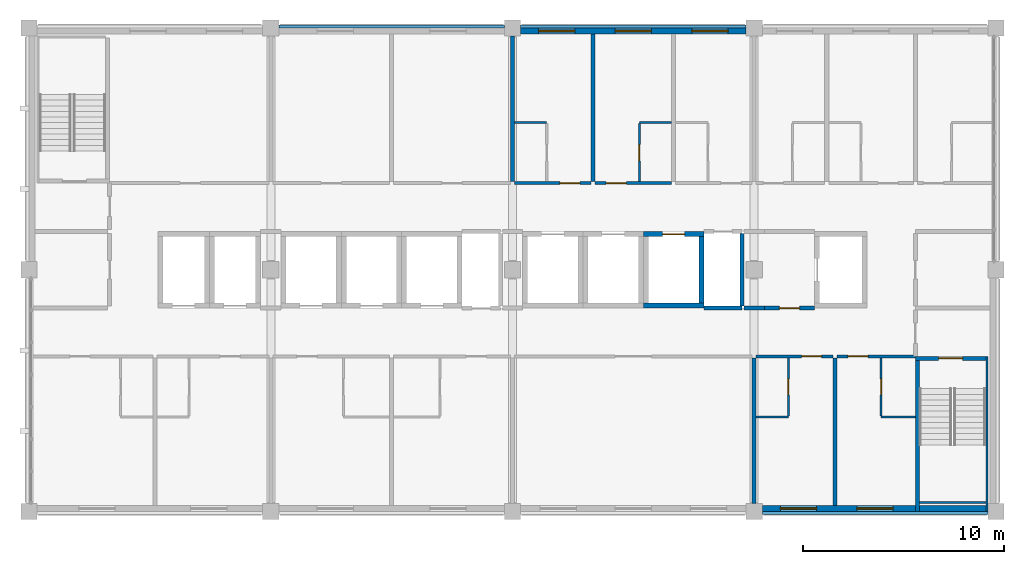
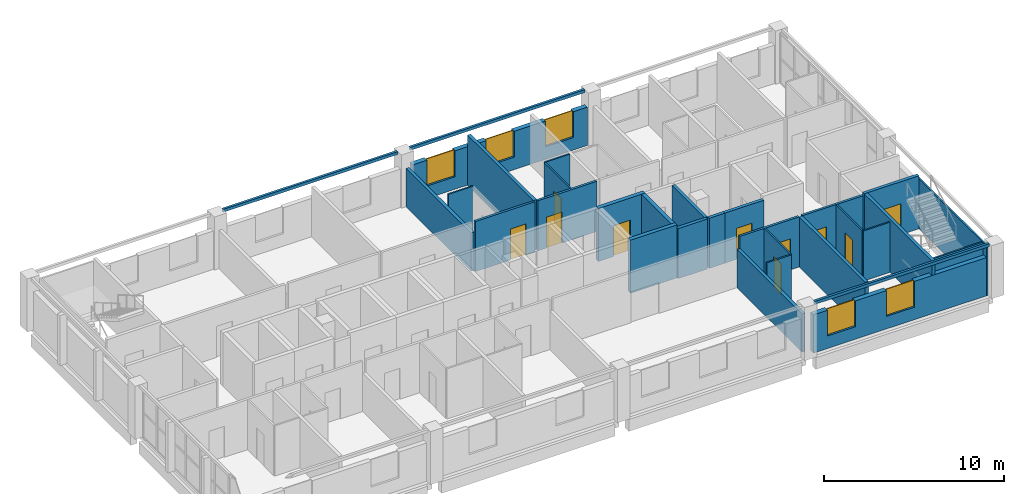
# One storey, part 8 of 11: 31 walls, 10 doors, 5 windows, 15 openings.
"""IFC4 building model written with IfcOpenShell, lengths in metres."""

from ifc_helpers import new_model, si_unit, direction, frame, frame_2d, origin, place, context, subcontext, project, spatial, rectangle, extrude, material, layer, layer_set, type_object, element, fill, save


model = new_model("IFC4")

# Units and contexts
model_context = context("Model", 3, precision=1e-05, world=origin(), true_north=direction((0.0, 1.0)))
body_context = subcontext(model_context, "Body", "Model", "MODEL_VIEW")
ifc_project = project(units=[si_unit("LENGTHUNIT", "METRE"), si_unit("AREAUNIT", "SQUARE_METRE"), si_unit("VOLUMEUNIT", "CUBIC_METRE"), si_unit("PLANEANGLEUNIT", "RADIAN"), si_unit("MASSUNIT", "GRAM", prefix="KILO")], contexts=[model_context])

# Site, building, storey
site_placement = place(None, origin())
site = spatial("IfcSite", under=ifc_project, at=site_placement, CompositionType="ELEMENT")
building_placement = place(site_placement, origin())
building = spatial("IfcBuilding", under=site, at=building_placement, Name="Lilac Gate Convention Centre", CompositionType="ELEMENT")
storey_placement = place(building_placement, frame((0.0, 0.0, 35.39990234375)))
storey = spatial("IfcBuildingStorey", under=building, at=storey_placement, Name="L08", CompositionType="ELEMENT", Elevation=35.39990234375)

# Walls
ifc_material_1 = material(Name="Concrete C50", Category="concrete")
ifc_layer_1 = layer(ifc_material_1, 0.10009765625)
ifc_layer_set_1 = layer_set([ifc_layer_1], Name="Concrete C50")
wall_type_1 = type_object("IfcWallType", Name="Core wall 100 C50", PredefinedType="SHEAR", material=ifc_layer_set_1)
wall_1_placement = place(storey_placement, frame((89.550048828125, 229.699951171875, 0.0), z_axis=(0.0, 0.0, 1.0), x_axis=(0.0, -1.0, 0.0)))
element("IfcWall", 1, at=wall_1_placement, inside=storey, type_object=wall_type_1, Name="CRW9 core wall TS-EX L08 1", PredefinedType="SHEAR", context=body_context, shape_type="SweptSolid", body=[
    extrude(rectangle(XDim=7.699951171875, YDim=0.10009765625, at=frame_2d((3.85009765625, 0.0))), origin(), (0.0, 0.0, 1.0), 3.400146484375),
])
wall_2_placement = place(storey_placement, frame((89.5, 222.449951171875, 0.0), z_axis=(0.0, 0.0, 1.0), x_axis=(-1.0, 0.0, 0.0)))
element("IfcWall", 2, at=wall_2_placement, inside=storey, type_object=wall_type_1, Name="CRW9 core wall TS-EX L08 2", PredefinedType="SHEAR", context=body_context, shape_type="SweptSolid", body=[
    extrude(rectangle(XDim=3.300048828125, YDim=0.10009765625, at=frame_2d((1.64990234375, 0.0))), origin(), (0.0, 0.0, 1.0), 3.400146484375),
])

# Wall, opening, door
ifc_layer_2 = layer(ifc_material_1, 0.199951171875)
ifc_layer_set_2 = layer_set([ifc_layer_2], Name="Concrete C50")
wall_type_2 = type_object("IfcWallType", Name="Core wall 200 C50", PredefinedType="SHEAR", material=ifc_layer_set_2)
wall_3_placement = place(storey_placement, frame((89.5, 229.60009765625, 0.0), z_axis=(0.0, 0.0, 1.0), x_axis=(-1.0, 0.0, 0.0)))
wall_3 = element("IfcWall", 3, at=wall_3_placement, inside=storey, type_object=wall_type_2, Name="CRW6 core wall TS-E L08 1", PredefinedType="SHEAR", context=body_context, shape_type="SweptSolid", body=[
    extrude(rectangle(XDim=3.5, YDim=0.199951171875, at=frame_2d((1.75, 0.0))), origin(), (0.0, 0.0, 1.0), 3.60009765625),
])
opening_1_placement = place(wall_3_placement, frame((1.14990234375, 0.0, 0.0)))
opening_1 = element("IfcOpeningElement", 4, at=opening_1_placement, cuts=wall_3, Name="Opening T07-046", PredefinedType="OPENING", context=body_context, shape_type="SweptSolid", body=[
    extrude(rectangle(XDim=1.199951171875, YDim=2.10009765625, at=frame_2d((0.60009765625, 1.050048828125))), frame((0.0, 0.10986328125, 0.0), z_axis=(0.0, -1.0, 0.0), x_axis=(1.0, 0.0, 0.0)), (0.0, 0.0, 1.0), 0.219970703125),
])
ifc_material_2 = material(Name="Steel Q235B", Category="steel")
door_type_1 = type_object("IfcDoorType", Name="Stair door 1200", OperationType="SINGLE_SWING_LEFT", PredefinedType="DOOR", material=ifc_material_2)
door_1_placement = place(opening_1_placement, origin())
door_1 = element("IfcDoor", 5, at=door_1_placement, inside=storey, type_object=door_type_1, Name="Stair door SE L08", OperationType="SINGLE_SWING_RIGHT", OverallHeight=2.10009765625, OverallWidth=1.199951171875, PredefinedType="DOOR", context=body_context, shape_type="SweptSolid", body=[
    extrude(rectangle(XDim=1.199951171875, YDim=2.10009765625, at=frame_2d((0.60009765625, 1.050048828125))), frame((0.0, 0.02490234375, 0.0), z_axis=(0.0, -1.0, 0.0), x_axis=(1.0, 0.0, 0.0)), (0.0, 0.0, 1.0), 0.050048828125),
])
fill(opening_1, door_1)

# Walls
wall_4_placement = place(storey_placement, frame((86.10009765625, 222.0, 0.0), z_axis=(0.0, 0.0, 1.0), x_axis=(0.0, 1.0, 0.0)))
element("IfcWall", 6, at=wall_4_placement, inside=storey, type_object=wall_type_2, Name="CRW6 core wall TS-E L08 2", PredefinedType="SHEAR", context=body_context, shape_type="SweptSolid", body=[
    extrude(rectangle(XDim=7.5, YDim=0.199951171875, at=frame_2d((3.75, 0.0))), origin(), (0.0, 0.0, 1.0), 3.60009765625),
])
ifc_layer_3 = layer(ifc_material_1, 0.25)
ifc_layer_set_3 = layer_set([ifc_layer_3], Name="Concrete C50")
wall_type_3 = type_object("IfcWallType", Name="Core wall 250 C50", PredefinedType="SHEAR", material=ifc_layer_set_3)
wall_5_placement = place(storey_placement, frame((72.5, 232.22509765625, 0.0), z_axis=(0.0, 0.0, 1.0), x_axis=(1.0, 0.0, 0.0)))
element("IfcWall", 7, at=wall_5_placement, inside=storey, type_object=wall_type_3, Name="CRW4 core wall TC L08 21", PredefinedType="SHEAR", context=body_context, shape_type="SweptSolid", body=[
    extrude(rectangle(XDim=3.0, YDim=0.25, at=frame_2d((1.5, 0.0))), origin(), (0.0, 0.0, 1.0), 3.60009765625),
])

# Wall, opening, door
wall_6_placement = place(storey_placement, frame((72.5, 235.77490234375, 0.0), z_axis=(0.0, 0.0, 1.0), x_axis=(1.0, 0.0, 0.0)))
wall_6 = element("IfcWall", 8, at=wall_6_placement, inside=storey, type_object=wall_type_3, Name="CRW4 core wall TC L08 22", PredefinedType="SHEAR", context=body_context, shape_type="SweptSolid", body=[
    extrude(rectangle(XDim=3.0, YDim=0.25, at=frame_2d((1.5, 0.0))), origin(), (0.0, 0.0, 1.0), 3.60009765625),
])
opening_2_placement = place(wall_6_placement, frame((0.949951171875, 0.0, 0.0)))
opening_2 = element("IfcOpeningElement", 9, at=opening_2_placement, cuts=wall_6, Name="Opening T07-041", PredefinedType="OPENING", context=body_context, shape_type="SweptSolid", body=[
    extrude(rectangle(XDim=1.10009765625, YDim=2.10009765625, at=frame_2d((0.550048828125, 1.050048828125))), frame((0.0, 0.135009765625, 0.0), z_axis=(0.0, -1.0, 0.0), x_axis=(1.0, 0.0, 0.0)), (0.0, 0.0, 1.0), 0.27001953125),
])
ifc_material_3 = material(Name="Stainless steel 304", Category="steel")
door_type_2 = type_object("IfcDoorType", Name="Lift landing door 1100", OperationType="SLIDING_TO_LEFT", PredefinedType="DOOR", material=ifc_material_3)
door_2_placement = place(opening_2_placement, origin())
door_2 = element("IfcDoor", 10, at=door_2_placement, inside=storey, type_object=door_type_2, Name="Lift landing door TP6 L08", OperationType="SLIDING_TO_LEFT", OverallHeight=2.10009765625, OverallWidth=1.10009765625, PredefinedType="DOOR", context=body_context, shape_type="SweptSolid", body=[
    extrude(rectangle(XDim=1.10009765625, YDim=2.10009765625, at=frame_2d((0.550048828125, 1.050048828125))), frame((0.0, 0.02490234375, 0.0), z_axis=(0.0, -1.0, 0.0), x_axis=(1.0, 0.0, 0.0)), (0.0, 0.0, 1.0), 0.050048828125),
])
fill(opening_2, door_2)

# Wall
wall_7_placement = place(storey_placement, frame((75.375, 232.35009765625, 0.0), z_axis=(0.0, 0.0, 1.0), x_axis=(0.0, 1.0, 0.0)))
element("IfcWall", 11, at=wall_7_placement, inside=storey, type_object=wall_type_3, Name="CRW4 core wall TC L08 24", PredefinedType="SHEAR", context=body_context, shape_type="SweptSolid", body=[
    extrude(rectangle(XDim=3.2998046875, YDim=0.25, at=frame_2d((1.64990234375, 0.0))), origin(), (0.0, 0.0, 1.0), 3.60009765625),
])

# Wall, opening, door
ifc_material_4 = material(Name="Gypsum board on steel stud", Category="steel")
ifc_layer_4 = layer(ifc_material_4, 0.14990234375)
ifc_layer_set_4 = layer_set([ifc_layer_4], Name="Gypsum board on steel stud")
wall_type_4 = type_object("IfcWallType", Name="Corridor wall 150", PredefinedType="PARTITIONING", material=ifc_layer_set_4)
wall_8_placement = place(storey_placement, frame((81.89990234375, 229.699951171875, 0.0), z_axis=(0.0, 0.0, 1.0), x_axis=(-1.0, 0.0, 0.0)))
wall_8 = element("IfcWall", 12, at=wall_8_placement, inside=storey, type_object=wall_type_4, Name="Corridor wall 150 front 0806", PredefinedType="PARTITIONING", context=body_context, shape_type="SweptSolid", body=[
    extrude(rectangle(XDim=3.7998046875, YDim=0.14990234375, at=frame_2d((1.89990234375, 0.0))), origin(), (0.0, 0.0, 1.0), 3.400146484375),
])
opening_3_placement = place(wall_8_placement, frame((0.550048828125, 0.0, 0.0)))
opening_3 = element("IfcOpeningElement", 13, at=opening_3_placement, cuts=wall_8, Name="Opening T07-017", PredefinedType="OPENING", context=body_context, shape_type="SweptSolid", body=[
    extrude(rectangle(XDim=1.0, YDim=2.10009765625, at=frame_2d((0.5, 1.050048828125))), frame((0.0, 0.0849609375, 0.0), z_axis=(0.0, -1.0, 0.0), x_axis=(1.0, 0.0, 0.0)), (0.0, 0.0, 1.0), 0.169921875),
])
ifc_material_5 = material(Name="Timber", Category="wood")
door_type_3 = type_object("IfcDoorType", Name="Guest room entrance door 1000", OperationType="SINGLE_SWING_LEFT", PredefinedType="DOOR", material=ifc_material_5)
door_3_placement = place(opening_3_placement, origin())
door_3 = element("IfcDoor", 14, at=door_3_placement, inside=storey, type_object=door_type_3, Name="Guest room door 0806", OperationType="SINGLE_SWING_LEFT", OverallHeight=2.10009765625, OverallWidth=1.0, PredefinedType="DOOR", context=body_context, shape_type="SweptSolid", body=[
    extrude(rectangle(XDim=1.0, YDim=2.10009765625, at=frame_2d((0.5, 1.050048828125))), frame((0.0, 0.02490234375, 0.0), z_axis=(0.0, -1.0, 0.0), x_axis=(1.0, 0.0, 0.0)), (0.0, 0.0, 1.0), 0.050048828125),
])
fill(opening_3, door_3)

wall_9_placement = place(storey_placement, frame((86.0, 229.699951171875, 0.0), z_axis=(0.0, 0.0, 1.0), x_axis=(-1.0, 0.0, 0.0)))
wall_9 = element("IfcWall", 15, at=wall_9_placement, inside=storey, type_object=wall_type_4, Name="Corridor wall 150 front 0807", PredefinedType="PARTITIONING", context=body_context, shape_type="SweptSolid", body=[
    extrude(rectangle(XDim=3.89990234375, YDim=0.14990234375, at=frame_2d((1.949951171875, 0.0))), origin(), (0.0, 0.0, 1.0), 3.400146484375),
])
opening_4_placement = place(wall_9_placement, frame((2.35009765625, 0.0, 0.0)))
opening_4 = element("IfcOpeningElement", 16, at=opening_4_placement, cuts=wall_9, Name="Opening T07-019", PredefinedType="OPENING", context=body_context, shape_type="SweptSolid", body=[
    extrude(rectangle(XDim=1.0, YDim=2.10009765625, at=frame_2d((0.5, 1.050048828125))), frame((0.0, 0.0849609375, 0.0), z_axis=(0.0, -1.0, 0.0), x_axis=(1.0, 0.0, 0.0)), (0.0, 0.0, 1.0), 0.169921875),
])
door_4_placement = place(opening_4_placement, origin())
door_4 = element("IfcDoor", 17, at=door_4_placement, inside=storey, type_object=door_type_3, Name="Guest room door 0807", OperationType="SINGLE_SWING_LEFT", OverallHeight=2.10009765625, OverallWidth=1.0, PredefinedType="DOOR", context=body_context, shape_type="SweptSolid", body=[
    extrude(rectangle(XDim=1.0, YDim=2.10009765625, at=frame_2d((0.5, 1.050048828125))), frame((0.0, 0.02490234375, 0.0), z_axis=(0.0, -1.0, 0.0), x_axis=(1.0, 0.0, 0.0)), (0.0, 0.0, 1.0), 0.050048828125),
])
fill(opening_4, door_4)

wall_10_placement = place(storey_placement, frame((66.10009765625, 238.300048828125, 0.0), z_axis=(0.0, 0.0, 1.0), x_axis=(1.0, 0.0, 0.0)))
wall_10 = element("IfcWall", 18, at=wall_10_placement, inside=storey, type_object=wall_type_4, Name="Corridor wall 150 front 0811", PredefinedType="PARTITIONING", context=body_context, shape_type="SweptSolid", body=[
    extrude(rectangle(XDim=3.7998046875, YDim=0.14990234375, at=frame_2d((1.89990234375, 0.0))), origin(), (0.0, 0.0, 1.0), 3.400146484375),
])
opening_5_placement = place(wall_10_placement, frame((2.25, 0.0, 0.0)))
opening_5 = element("IfcOpeningElement", 19, at=opening_5_placement, cuts=wall_10, Name="Opening T07-024", PredefinedType="OPENING", context=body_context, shape_type="SweptSolid", body=[
    extrude(rectangle(XDim=1.0, YDim=2.10009765625, at=frame_2d((0.5, 1.050048828125))), frame((0.0, 0.0849609375, 0.0), z_axis=(0.0, -1.0, 0.0), x_axis=(1.0, 0.0, 0.0)), (0.0, 0.0, 1.0), 0.169921875),
])
door_5_placement = place(opening_5_placement, origin())
door_5 = element("IfcDoor", 20, at=door_5_placement, inside=storey, type_object=door_type_3, Name="Guest room door 0811", OperationType="SINGLE_SWING_LEFT", OverallHeight=2.10009765625, OverallWidth=1.0, PredefinedType="DOOR", context=body_context, shape_type="SweptSolid", body=[
    extrude(rectangle(XDim=1.0, YDim=2.10009765625, at=frame_2d((0.5, 1.050048828125))), frame((0.0, 0.02490234375, 0.0), z_axis=(0.0, -1.0, 0.0), x_axis=(1.0, 0.0, 0.0)), (0.0, 0.0, 1.0), 0.050048828125),
])
fill(opening_5, door_5)

wall_11_placement = place(storey_placement, frame((70.10009765625, 238.300048828125, 0.0), z_axis=(0.0, 0.0, 1.0), x_axis=(1.0, 0.0, 0.0)))
wall_11 = element("IfcWall", 21, at=wall_11_placement, inside=storey, type_object=wall_type_4, Name="Corridor wall 150 front 0812", PredefinedType="PARTITIONING", context=body_context, shape_type="SweptSolid", body=[
    extrude(rectangle(XDim=3.7998046875, YDim=0.14990234375, at=frame_2d((1.89990234375, 0.0))), origin(), (0.0, 0.0, 1.0), 3.400146484375),
])
opening_6_placement = place(wall_11_placement, frame((0.550048828125, 0.0, 0.0)))
opening_6 = element("IfcOpeningElement", 22, at=opening_6_placement, cuts=wall_11, Name="Opening T07-026", PredefinedType="OPENING", context=body_context, shape_type="SweptSolid", body=[
    extrude(rectangle(XDim=1.0, YDim=2.10009765625, at=frame_2d((0.5, 1.050048828125))), frame((0.0, 0.0849609375, 0.0), z_axis=(0.0, -1.0, 0.0), x_axis=(1.0, 0.0, 0.0)), (0.0, 0.0, 1.0), 0.169921875),
])
door_6_placement = place(opening_6_placement, origin())
door_6 = element("IfcDoor", 23, at=door_6_placement, inside=storey, type_object=door_type_3, Name="Guest room door 0812", OperationType="SINGLE_SWING_LEFT", OverallHeight=2.10009765625, OverallWidth=1.0, PredefinedType="DOOR", context=body_context, shape_type="SweptSolid", body=[
    extrude(rectangle(XDim=1.0, YDim=2.10009765625, at=frame_2d((0.5, 1.050048828125))), frame((0.0, 0.02490234375, 0.0), z_axis=(0.0, -1.0, 0.0), x_axis=(1.0, 0.0, 0.0)), (0.0, 0.0, 1.0), 0.050048828125),
])
fill(opening_6, door_6)

# Wall
ifc_layer_5 = layer(ifc_material_4, 0.10009765625)
ifc_layer_set_5 = layer_set([ifc_layer_5], Name="Gypsum board on steel stud")
wall_type_5 = type_object("IfcWallType", Name="En-suite wall 100", PredefinedType="PARTITIONING", material=ifc_layer_set_5)
wall_12_placement = place(storey_placement, frame((78.10009765625, 226.699951171875, 0.0), z_axis=(0.0, 0.0, 1.0), x_axis=(1.0, 0.0, 0.0)))
element("IfcWall", 24, at=wall_12_placement, inside=storey, type_object=wall_type_5, Name="En-suite wall 100 bath 0806", PredefinedType="PARTITIONING", context=body_context, shape_type="SweptSolid", body=[
    extrude(rectangle(XDim=1.599853515625, YDim=0.10009765625, at=frame_2d((0.7998046875, 0.0))), origin(), (0.0, 0.0, 1.0), 3.400146484375),
])

# Wall, opening, door
wall_13_placement = place(storey_placement, frame((79.699951171875, 229.625, 0.0), z_axis=(0.0, 0.0, 1.0), x_axis=(0.0, -1.0, 0.0)))
wall_13 = element("IfcWall", 25, at=wall_13_placement, inside=storey, type_object=wall_type_5, Name="En-suite wall 100 bath side 0806", PredefinedType="PARTITIONING", context=body_context, shape_type="SweptSolid", body=[
    extrude(rectangle(XDim=2.875, YDim=0.10009765625, at=frame_2d((1.4375, 0.0))), origin(), (0.0, 0.0, 1.0), 3.400146484375),
])
opening_7_placement = place(wall_13_placement, frame((1.03759765625, 0.0, 0.0)))
opening_7 = element("IfcOpeningElement", 26, at=opening_7_placement, cuts=wall_13, Name="Opening T07-018", PredefinedType="OPENING", context=body_context, shape_type="SweptSolid", body=[
    extrude(rectangle(XDim=0.800048828125, YDim=2.10009765625, at=frame_2d((0.39990234375, 1.050048828125))), frame((0.0, 0.06005859375, 0.0), z_axis=(0.0, -1.0, 0.0), x_axis=(1.0, 0.0, 0.0)), (0.0, 0.0, 1.0), 0.1201171875),
])
door_type_4 = type_object("IfcDoorType", Name="En-suite door 800", OperationType="SINGLE_SWING_LEFT", PredefinedType="DOOR", material=ifc_material_5)
door_7_placement = place(opening_7_placement, origin())
door_7 = element("IfcDoor", 27, at=door_7_placement, inside=storey, type_object=door_type_4, Name="En-suite door 0806", OperationType="SINGLE_SWING_LEFT", OverallHeight=2.10009765625, OverallWidth=0.800048828125, PredefinedType="DOOR", context=body_context, shape_type="SweptSolid", body=[
    extrude(rectangle(XDim=0.800048828125, YDim=2.10009765625, at=frame_2d((0.39990234375, 1.050048828125))), frame((0.0, 0.02490234375, 0.0), z_axis=(0.0, -1.0, 0.0), x_axis=(1.0, 0.0, 0.0)), (0.0, 0.0, 1.0), 0.050048828125),
])
fill(opening_7, door_7)

# Wall
wall_14_placement = place(storey_placement, frame((84.300048828125, 226.699951171875, 0.0), z_axis=(0.0, 0.0, 1.0), x_axis=(1.0, 0.0, 0.0)))
element("IfcWall", 28, at=wall_14_placement, inside=storey, type_object=wall_type_5, Name="En-suite wall 100 bath 0807", PredefinedType="PARTITIONING", context=body_context, shape_type="SweptSolid", body=[
    extrude(rectangle(XDim=1.699951171875, YDim=0.10009765625, at=frame_2d((0.85009765625, 0.0))), origin(), (0.0, 0.0, 1.0), 3.400146484375),
])

# Wall, opening, door
wall_15_placement = place(storey_placement, frame((84.300048828125, 226.75, 0.0), z_axis=(0.0, 0.0, 1.0), x_axis=(0.0, 1.0, 0.0)))
wall_15 = element("IfcWall", 29, at=wall_15_placement, inside=storey, type_object=wall_type_5, Name="En-suite wall 100 bath side 0807", PredefinedType="PARTITIONING", context=body_context, shape_type="SweptSolid", body=[
    extrude(rectangle(XDim=2.875, YDim=0.10009765625, at=frame_2d((1.4375, 0.0))), origin(), (0.0, 0.0, 1.0), 3.400146484375),
])
opening_8_placement = place(wall_15_placement, frame((1.03759765625, 0.0, 0.0)))
opening_8 = element("IfcOpeningElement", 30, at=opening_8_placement, cuts=wall_15, Name="Opening T07-020", PredefinedType="OPENING", context=body_context, shape_type="SweptSolid", body=[
    extrude(rectangle(XDim=0.800048828125, YDim=2.10009765625, at=frame_2d((0.39990234375, 1.050048828125))), frame((0.0, 0.06005859375, 0.0), z_axis=(0.0, -1.0, 0.0), x_axis=(1.0, 0.0, 0.0)), (0.0, 0.0, 1.0), 0.1201171875),
])
door_8_placement = place(opening_8_placement, origin())
door_8 = element("IfcDoor", 31, at=door_8_placement, inside=storey, type_object=door_type_4, Name="En-suite door 0807", OperationType="SINGLE_SWING_RIGHT", OverallHeight=2.10009765625, OverallWidth=0.800048828125, PredefinedType="DOOR", context=body_context, shape_type="SweptSolid", body=[
    extrude(rectangle(XDim=0.800048828125, YDim=2.10009765625, at=frame_2d((0.39990234375, 1.050048828125))), frame((0.0, 0.02490234375, 0.0), z_axis=(0.0, -1.0, 0.0), x_axis=(1.0, 0.0, 0.0)), (0.0, 0.0, 1.0), 0.050048828125),
])
fill(opening_8, door_8)

# Walls
for number, where, z_axis, x_axis, name in (
    (32, (66.10009765625, 241.300048828125, 0.0), (0.0, 0.0, 1.0), (1.0, 0.0, 0.0), "En-suite wall 100 bath 0811"),
    (33, (72.300048828125, 241.300048828125, 0.0), (0.0, 0.0, 1.0), (1.0, 0.0, 0.0), "En-suite wall 100 bath 0812"),
):
    element("IfcWall", number, at=place(storey_placement, frame(where, z_axis=z_axis, x_axis=x_axis)), inside=storey, type_object=wall_type_5, Name=name, PredefinedType="PARTITIONING", context=body_context, shape_type="SweptSolid", body=[
        extrude(rectangle(XDim=1.599853515625, YDim=0.10009765625, at=frame_2d((0.7998046875, 0.0))), origin(), (0.0, 0.0, 1.0), 3.400146484375),
    ])

# Wall, opening, door
wall_16_placement = place(storey_placement, frame((72.300048828125, 238.375, 0.0), z_axis=(0.0, 0.0, 1.0), x_axis=(0.0, 1.0, 0.0)))
wall_16 = element("IfcWall", 34, at=wall_16_placement, inside=storey, type_object=wall_type_5, Name="En-suite wall 100 bath side 0812", PredefinedType="PARTITIONING", context=body_context, shape_type="SweptSolid", body=[
    extrude(rectangle(XDim=2.875, YDim=0.10009765625, at=frame_2d((1.4375, 0.0))), origin(), (0.0, 0.0, 1.0), 3.400146484375),
])
opening_9_placement = place(wall_16_placement, frame((1.03759765625, 0.0, 0.0)))
opening_9 = element("IfcOpeningElement", 35, at=opening_9_placement, cuts=wall_16, Name="Opening T07-027", PredefinedType="OPENING", context=body_context, shape_type="SweptSolid", body=[
    extrude(rectangle(XDim=0.800048828125, YDim=2.10009765625, at=frame_2d((0.39990234375, 1.050048828125))), frame((0.0, 0.06005859375, 0.0), z_axis=(0.0, -1.0, 0.0), x_axis=(1.0, 0.0, 0.0)), (0.0, 0.0, 1.0), 0.1201171875),
])
door_9_placement = place(opening_9_placement, origin())
door_9 = element("IfcDoor", 36, at=door_9_placement, inside=storey, type_object=door_type_4, Name="En-suite door 0812", OperationType="SINGLE_SWING_LEFT", OverallHeight=2.10009765625, OverallWidth=0.800048828125, PredefinedType="DOOR", context=body_context, shape_type="SweptSolid", body=[
    extrude(rectangle(XDim=0.800048828125, YDim=2.10009765625, at=frame_2d((0.39990234375, 1.050048828125))), frame((0.0, 0.02490234375, 0.0), z_axis=(0.0, -1.0, 0.0), x_axis=(1.0, 0.0, 0.0)), (0.0, 0.0, 1.0), 0.050048828125),
])
fill(opening_9, door_9)

# Walls
ifc_layer_6 = layer(ifc_material_4, 0.199951171875)
ifc_layer_set_6 = layer_set([ifc_layer_6], Name="Gypsum board on steel stud")
wall_type_6 = type_object("IfcWallType", Name="Guest room party wall 200", PredefinedType="PARTITIONING", material=ifc_layer_set_6)
wall_17_placement = place(storey_placement, frame((78.0, 222.39990234375, 0.0), z_axis=(0.0, 0.0, 1.0), x_axis=(0.0, 1.0, 0.0)))
element("IfcWall", 37, at=wall_17_placement, inside=storey, type_object=wall_type_6, Name="Guest room party wall 200 party 78.0", PredefinedType="PARTITIONING", context=body_context, shape_type="SweptSolid", body=[
    extrude(rectangle(XDim=7.22509765625, YDim=0.199951171875, at=frame_2d((3.612548828125, 0.0))), origin(), (0.0, 0.0, 1.0), 2.60009765625),
])
wall_18_placement = place(storey_placement, frame((82.0, 222.2998046875, 0.0), z_axis=(0.0, 0.0, 1.0), x_axis=(0.0, 1.0, 0.0)))
element("IfcWall", 38, at=wall_18_placement, inside=storey, type_object=wall_type_6, Name="Guest room party wall 200 party 82.0", PredefinedType="PARTITIONING", context=body_context, shape_type="SweptSolid", body=[
    extrude(rectangle(XDim=7.3251953125, YDim=0.199951171875, at=frame_2d((3.66259765625, 0.0))), origin(), (0.0, 0.0, 1.0), 3.400146484375),
])
wall_19_placement = place(storey_placement, frame((66.0, 245.60009765625, 0.0), z_axis=(0.0, 0.0, 1.0), x_axis=(0.0, -1.0, 0.0)))
element("IfcWall", 39, at=wall_19_placement, inside=storey, type_object=wall_type_6, Name="Guest room party wall 200 party 66.0", PredefinedType="PARTITIONING", context=body_context, shape_type="SweptSolid", body=[
    extrude(rectangle(XDim=7.22509765625, YDim=0.199951171875, at=frame_2d((3.612548828125, 0.0))), origin(), (0.0, 0.0, 1.0), 2.60009765625),
])
wall_20_placement = place(storey_placement, frame((70.0, 245.7001953125, 0.0), z_axis=(0.0, 0.0, 1.0), x_axis=(0.0, -1.0, 0.0)))
element("IfcWall", 40, at=wall_20_placement, inside=storey, type_object=wall_type_6, Name="Guest room party wall 200 party 70.0", PredefinedType="PARTITIONING", context=body_context, shape_type="SweptSolid", body=[
    extrude(rectangle(XDim=7.3251953125, YDim=0.199951171875, at=frame_2d((3.66259765625, 0.0))), origin(), (0.0, 0.0, 1.0), 3.400146484375),
])

# Wall, opening, door
ifc_layer_7 = layer(ifc_material_4, 0.199951171875)
ifc_layer_set_7 = layer_set([ifc_layer_7], Name="Gypsum board on steel stud")
wall_type_7 = type_object("IfcWallType", Name="Lobby wall 200", PredefinedType="PARTITIONING", material=ifc_layer_set_7)
wall_21_placement = place(storey_placement, frame((78.5, 232.10009765625, 0.0), z_axis=(0.0, 0.0, 1.0), x_axis=(1.0, 0.0, 0.0)))
wall_21 = element("IfcWall", 41, at=wall_21_placement, inside=storey, type_object=wall_type_7, Name="Lobby wall 200 FFL-S", PredefinedType="PARTITIONING", context=body_context, shape_type="SweptSolid", body=[
    extrude(rectangle(XDim=2.5, YDim=0.199951171875, at=frame_2d((1.25, 0.0))), origin(), (0.0, 0.0, 1.0), 3.400146484375),
])
opening_10_placement = place(wall_21_placement, frame((0.75, 0.0, 0.0)))
opening_10 = element("IfcOpeningElement", 42, at=opening_10_placement, cuts=wall_21, Name="Opening T07-004", PredefinedType="OPENING", context=body_context, shape_type="SweptSolid", body=[
    extrude(rectangle(XDim=1.0, YDim=2.10009765625, at=frame_2d((0.5, 1.050048828125))), frame((0.0, 0.10986328125, 0.0), z_axis=(0.0, -1.0, 0.0), x_axis=(1.0, 0.0, 0.0)), (0.0, 0.0, 1.0), 0.219970703125),
])
door_type_5 = type_object("IfcDoorType", Name="Lobby door 1000", OperationType="SINGLE_SWING_LEFT", PredefinedType="DOOR", material=ifc_material_2)
door_10_placement = place(opening_10_placement, origin())
door_10 = element("IfcDoor", 43, at=door_10_placement, inside=storey, type_object=door_type_5, Name="Firefighting lobby door", OperationType="SINGLE_SWING_RIGHT", OverallHeight=2.10009765625, OverallWidth=1.0, PredefinedType="DOOR", context=body_context, shape_type="SweptSolid", body=[
    extrude(rectangle(XDim=1.0, YDim=2.10009765625, at=frame_2d((0.5, 1.050048828125))), frame((0.0, 0.02490234375, 0.0), z_axis=(0.0, -1.0, 0.0), x_axis=(1.0, 0.0, 0.0)), (0.0, 0.0, 1.0), 0.050048828125),
])
fill(opening_10, door_10)

# Walls
ifc_material_6 = material(Name="Concrete C40 precast", Category="concrete")
ifc_layer_8 = layer(ifc_material_6, 0.1298828125)
ifc_material_7 = material(Name="Terracotta glazed cladding", Category="masonry")
ifc_layer_9 = layer(ifc_material_7, 0.02001953125)
ifc_layer_set_8 = layer_set([ifc_layer_8, ifc_layer_9], Name="Concrete C40 precast, Terracotta glazed cladding")
wall_type_8 = type_object("IfcWallType", Name="Precast band terracotta 150", PredefinedType="STANDARD", material=ifc_layer_set_8)
for number, where, z_axis, x_axis, name in (
    (44, (78.39990234375, 221.925048828125, 3.400146484375), (0.0, 0.0, 1.0), (1.0, 0.0, 0.0), "Precast band S L08 4"),
    (45, (77.60009765625, 246.074951171875, 3.400146484375), (0.0, 0.0, 1.0), (-1.0, 0.0, 0.0), "Precast band N L08 2"),
    (46, (65.60009765625, 246.074951171875, 3.400146484375), (0.0, 0.0, 1.0), (-1.0, 0.0, 0.0), "Precast band N L08 3"),
):
    element("IfcWall", number, at=place(storey_placement, frame(where, z_axis=z_axis, x_axis=x_axis)), inside=storey, type_object=wall_type_8, Name=name, PredefinedType="STANDARD", context=body_context, shape_type="SweptSolid", body=[
        extrude(rectangle(XDim=11.2001953125, YDim=0.14990234375, at=frame_2d((5.60009765625, 0.0))), origin(), (0.0, 0.0, 1.0), 0.199951171875),
    ])

# Wall, openings, windows
ifc_layer_10 = layer(ifc_material_7, 0.02001953125)
ifc_layer_11 = layer(ifc_material_6, 0.06005859375)
ifc_material_8 = material(Name="Ventilated air cavity")
ifc_layer_12 = layer(ifc_material_8, 0.030029296875)
ifc_material_9 = material(Name="Mineral wool insulation")
ifc_layer_13 = layer(ifc_material_9, 0.1201171875)
ifc_material_10 = material(Name="Steel stud Q345 and gypsum lining", Category="steel")
ifc_layer_14 = layer(ifc_material_10, 0.070068359375)
ifc_layer_set_9 = layer_set([ifc_layer_10, ifc_layer_11, ifc_layer_12, ifc_layer_13, ifc_layer_14], Name="Terracotta glazed cladding, Concrete C40 precast, Ventilated air cavity, Mineral wool insulation, Steel stud Q345 and gypsum lining")
wall_type_9 = type_object("IfcWallType", Name="Precast panel wall terracotta 300", PredefinedType="STANDARD", material=ifc_layer_set_9)
wall_22_placement = place(storey_placement, frame((78.39990234375, 222.14990234375, 0.0), z_axis=(0.0, 0.0, 1.0), x_axis=(1.0, 0.0, 0.0)))
wall_22 = element("IfcWall", 47, at=wall_22_placement, inside=storey, type_object=wall_type_9, Name="External wall S L08 4", PredefinedType="STANDARD", context=body_context, shape_type="SweptSolid", body=[
    extrude(rectangle(XDim=11.2001953125, YDim=0.300048828125, at=frame_2d((5.60009765625, 0.0))), origin(), (0.0, 0.0, 1.0), 2.60009765625),
])
opening_11_placement = place(wall_22_placement, frame((0.89990234375, 0.0, 0.85009765625)))
opening_11 = element("IfcOpeningElement", 48, at=opening_11_placement, cuts=wall_22, Name="Opening W1", PredefinedType="OPENING", context=body_context, shape_type="SweptSolid", body=[
    extrude(rectangle(XDim=1.800048828125, YDim=1.75, at=frame_2d((0.89990234375, 0.875))), frame((0.0, 0.159912109375, 0.0), z_axis=(0.0, -1.0, 0.0), x_axis=(1.0, 0.0, 0.0)), (0.0, 0.0, 1.0), 0.320068359375),
])
opening_12_placement = place(wall_22_placement, frame((4.699951171875, 0.0, 0.85009765625)))
opening_12 = element("IfcOpeningElement", 49, at=opening_12_placement, cuts=wall_22, Name="Opening W1", PredefinedType="OPENING", context=body_context, shape_type="SweptSolid", body=[
    extrude(rectangle(XDim=1.800048828125, YDim=1.75, at=frame_2d((0.89990234375, 0.875))), frame((0.0, 0.159912109375, 0.0), z_axis=(0.0, -1.0, 0.0), x_axis=(1.0, 0.0, 0.0)), (0.0, 0.0, 1.0), 0.320068359375),
])
ifc_material_11 = material(Name="Aluminium framed double glazing", Category="aluminium")
window_type = type_object("IfcWindowType", Name="Guest room window 1800 x 1750", PartitioningType="DOUBLE_PANEL_VERTICAL", PredefinedType="WINDOW", material=ifc_material_11)
window_1_placement = place(opening_11_placement, origin())
window_1 = element("IfcWindow", 50, at=window_1_placement, inside=storey, type_object=window_type, Name="Window Guest S L08", OverallHeight=1.75, OverallWidth=1.800048828125, PartitioningType="SINGLE_PANEL", PredefinedType="WINDOW", context=body_context, shape_type="SweptSolid", body=[
    extrude(rectangle(XDim=1.800048828125, YDim=1.75, at=frame_2d((0.89990234375, 0.875))), frame((0.0, 0.030029296875, 0.0), z_axis=(0.0, -1.0, 0.0), x_axis=(1.0, 0.0, 0.0)), (0.0, 0.0, 1.0), 0.06005859375),
])
fill(opening_11, window_1)
window_2_placement = place(opening_12_placement, origin())
window_2 = element("IfcWindow", 51, at=window_2_placement, inside=storey, type_object=window_type, Name="Window Guest S L08", OverallHeight=1.75, OverallWidth=1.800048828125, PartitioningType="SINGLE_PANEL", PredefinedType="WINDOW", context=body_context, shape_type="SweptSolid", body=[
    extrude(rectangle(XDim=1.800048828125, YDim=1.75, at=frame_2d((0.89990234375, 0.875))), frame((0.0, 0.030029296875, 0.0), z_axis=(0.0, -1.0, 0.0), x_axis=(1.0, 0.0, 0.0)), (0.0, 0.0, 1.0), 0.06005859375),
])
fill(opening_12, window_2)

wall_23_placement = place(storey_placement, frame((77.60009765625, 245.85009765625, 0.0), z_axis=(0.0, 0.0, 1.0), x_axis=(-1.0, 0.0, 0.0)))
wall_23 = element("IfcWall", 52, at=wall_23_placement, inside=storey, type_object=wall_type_9, Name="External wall N L08 2", PredefinedType="STANDARD", context=body_context, shape_type="SweptSolid", body=[
    extrude(rectangle(XDim=11.2001953125, YDim=0.300048828125, at=frame_2d((5.60009765625, 0.0))), origin(), (0.0, 0.0, 1.0), 2.60009765625),
])
opening_13_placement = place(wall_23_placement, frame((8.5, 0.0, 0.85009765625)))
opening_13 = element("IfcOpeningElement", 53, at=opening_13_placement, cuts=wall_23, Name="Opening W1", PredefinedType="OPENING", context=body_context, shape_type="SweptSolid", body=[
    extrude(rectangle(XDim=1.800048828125, YDim=1.75, at=frame_2d((0.89990234375, 0.875))), frame((0.0, 0.159912109375, 0.0), z_axis=(0.0, -1.0, 0.0), x_axis=(1.0, 0.0, 0.0)), (0.0, 0.0, 1.0), 0.320068359375),
])
opening_14_placement = place(wall_23_placement, frame((4.699951171875, 0.0, 0.85009765625)))
opening_14 = element("IfcOpeningElement", 54, at=opening_14_placement, cuts=wall_23, Name="Opening W1", PredefinedType="OPENING", context=body_context, shape_type="SweptSolid", body=[
    extrude(rectangle(XDim=1.800048828125, YDim=1.75, at=frame_2d((0.89990234375, 0.875))), frame((0.0, 0.159912109375, 0.0), z_axis=(0.0, -1.0, 0.0), x_axis=(1.0, 0.0, 0.0)), (0.0, 0.0, 1.0), 0.320068359375),
])
opening_15_placement = place(wall_23_placement, frame((0.89990234375, 0.0, 0.85009765625)))
opening_15 = element("IfcOpeningElement", 55, at=opening_15_placement, cuts=wall_23, Name="Opening W1", PredefinedType="OPENING", context=body_context, shape_type="SweptSolid", body=[
    extrude(rectangle(XDim=1.800048828125, YDim=1.75, at=frame_2d((0.89990234375, 0.875))), frame((0.0, 0.159912109375, 0.0), z_axis=(0.0, -1.0, 0.0), x_axis=(1.0, 0.0, 0.0)), (0.0, 0.0, 1.0), 0.320068359375),
])
window_3_placement = place(opening_13_placement, origin())
window_3 = element("IfcWindow", 56, at=window_3_placement, inside=storey, type_object=window_type, Name="Window Guest N L08", OverallHeight=1.75, OverallWidth=1.800048828125, PartitioningType="SINGLE_PANEL", PredefinedType="WINDOW", context=body_context, shape_type="SweptSolid", body=[
    extrude(rectangle(XDim=1.800048828125, YDim=1.75, at=frame_2d((0.89990234375, 0.875))), frame((0.0, 0.030029296875, 0.0), z_axis=(0.0, -1.0, 0.0), x_axis=(1.0, 0.0, 0.0)), (0.0, 0.0, 1.0), 0.06005859375),
])
fill(opening_13, window_3)
window_4_placement = place(opening_14_placement, origin())
window_4 = element("IfcWindow", 57, at=window_4_placement, inside=storey, type_object=window_type, Name="Window Guest N L08", OverallHeight=1.75, OverallWidth=1.800048828125, PartitioningType="SINGLE_PANEL", PredefinedType="WINDOW", context=body_context, shape_type="SweptSolid", body=[
    extrude(rectangle(XDim=1.800048828125, YDim=1.75, at=frame_2d((0.89990234375, 0.875))), frame((0.0, 0.030029296875, 0.0), z_axis=(0.0, -1.0, 0.0), x_axis=(1.0, 0.0, 0.0)), (0.0, 0.0, 1.0), 0.06005859375),
])
fill(opening_14, window_4)
window_5_placement = place(opening_15_placement, origin())
window_5 = element("IfcWindow", 58, at=window_5_placement, inside=storey, type_object=window_type, Name="Window Guest N L08", OverallHeight=1.75, OverallWidth=1.800048828125, PartitioningType="SINGLE_PANEL", PredefinedType="WINDOW", context=body_context, shape_type="SweptSolid", body=[
    extrude(rectangle(XDim=1.800048828125, YDim=1.75, at=frame_2d((0.89990234375, 0.875))), frame((0.0, 0.030029296875, 0.0), z_axis=(0.0, -1.0, 0.0), x_axis=(1.0, 0.0, 0.0)), (0.0, 0.0, 1.0), 0.06005859375),
])
fill(opening_15, window_5)

# Walls
ifc_layer_15 = layer(ifc_material_4, 0.199951171875)
ifc_layer_set_10 = layer_set([ifc_layer_15], Name="Gypsum board on steel stud")
wall_type_10 = type_object("IfcWallType", Name="Riser and store wall 200", PredefinedType="PARTITIONING", material=ifc_layer_set_10)
wall_24_placement = place(storey_placement, frame((75.5, 232.10009765625, 0.0), z_axis=(0.0, 0.0, 1.0), x_axis=(1.0, 0.0, 0.0)))
element("IfcWall", 59, at=wall_24_placement, inside=storey, type_object=wall_type_10, Name="Riser and store wall 200 RS2-S", PredefinedType="PARTITIONING", context=body_context, shape_type="SweptSolid", body=[
    extrude(rectangle(XDim=1.89990234375, YDim=0.199951171875, at=frame_2d((0.949951171875, 0.0))), origin(), (0.0, 0.0, 1.0), 3.400146484375),
])
wall_25_placement = place(storey_placement, frame((77.5, 232.10009765625, 0.0), z_axis=(0.0, 0.0, 1.0), x_axis=(1.0, 0.0, 0.0)))
element("IfcWall", 60, at=wall_25_placement, inside=storey, type_object=wall_type_10, Name="Riser and store wall 200 NICHE3-S", PredefinedType="PARTITIONING", context=body_context, shape_type="SweptSolid", body=[
    extrude(rectangle(XDim=1.0, YDim=0.199951171875, at=frame_2d((0.5, 0.0))), origin(), (0.0, 0.0, 1.0), 3.400146484375),
])
wall_26_placement = place(storey_placement, frame((77.39990234375, 232.199951171875, 0.0), z_axis=(0.0, 0.0, 1.0), x_axis=(0.0, 1.0, 0.0)))
element("IfcWall", 61, at=wall_26_placement, inside=storey, type_object=wall_type_10, Name="Riser and store wall 200 RS2-E", PredefinedType="PARTITIONING", context=body_context, shape_type="SweptSolid", body=[
    extrude(rectangle(XDim=3.60009765625, YDim=0.199951171875, at=frame_2d((1.800048828125, 0.0))), origin(), (0.0, 0.0, 1.0), 3.400146484375),
])

save(model, "model.ifc")
